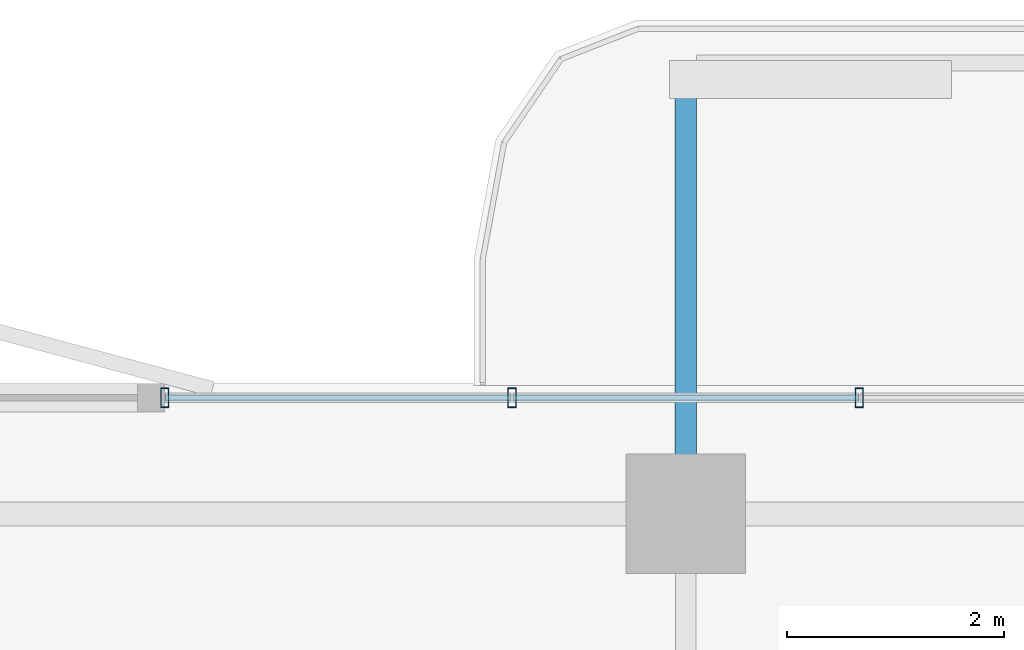
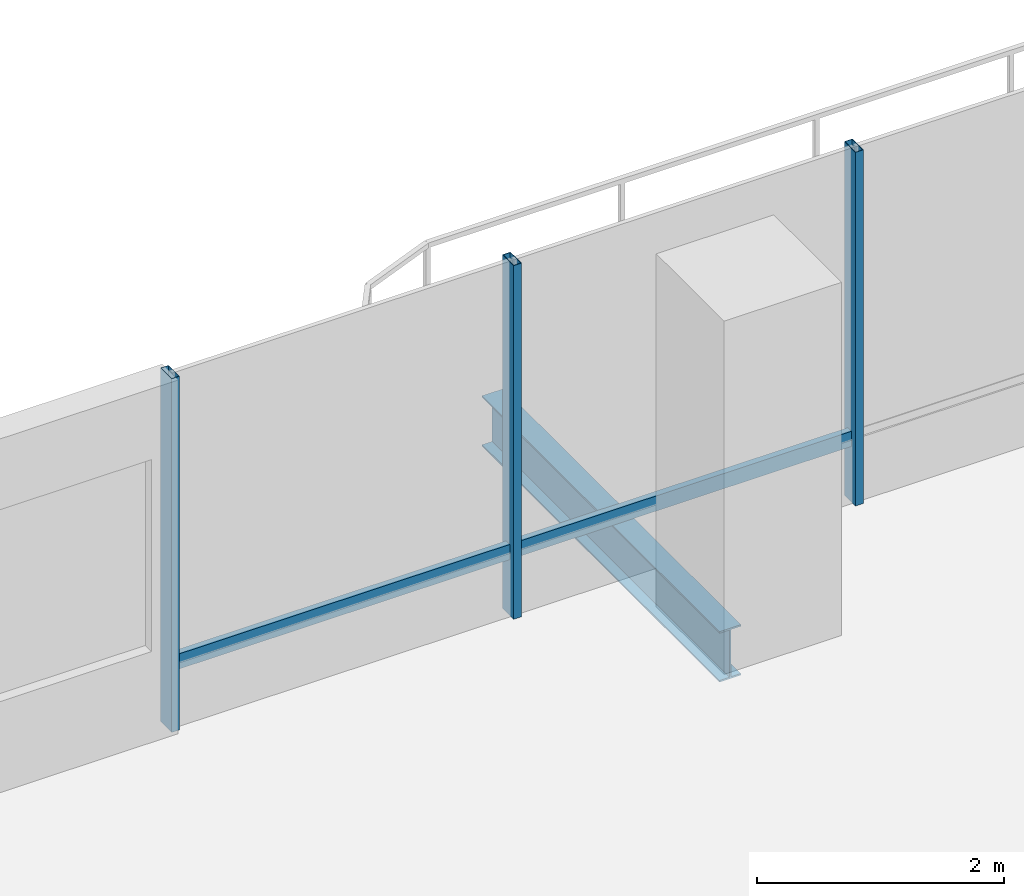
# One storey, part 11 of 23: 5 members, 1 beam, 1 element without a shape of its own.
"""IFC4 building model written with IfcOpenShell, lengths in metres."""

from ifc_helpers import new_model, si_unit, direction, frame, origin, origin_2d, place, context, subcontext, project, spatial, hollow_rectangle, i_section, extrude, material, layer, layer_set, material_profile, profile_set, type_object, element, aggregate, save


model = new_model("IFC4")

# Units and contexts
model_context = context("Model", 3, precision=1e-05, world=origin(), true_north=direction((0.0, 1.0)))
body_context = subcontext(model_context, "Body", "Model", "MODEL_VIEW")
ifc_project = project(units=[si_unit("LENGTHUNIT", "METRE"), si_unit("AREAUNIT", "SQUARE_METRE"), si_unit("VOLUMEUNIT", "CUBIC_METRE"), si_unit("PLANEANGLEUNIT", "RADIAN"), si_unit("MASSUNIT", "GRAM", prefix="KILO")], contexts=[model_context])

# Site, building, storey
site_placement = place(None, origin())
site = spatial("IfcSite", under=ifc_project, at=site_placement, CompositionType="ELEMENT")
building_placement = place(site_placement, origin())
building = spatial("IfcBuilding", under=site, at=building_placement, Name="Belovzor Exchange Tower", CompositionType="ELEMENT")
storey_placement = place(building_placement, frame((0.0, 0.0, 229.949951171875)))
storey = spatial("IfcBuildingStorey", under=building, at=storey_placement, Name="L57", CompositionType="ELEMENT", Elevation=229.949951171875)

# Beam
ifc_material_1 = material(Name="Steel S355", Category="steel")
ifc_material_profile_1 = material_profile(ifc_material_1, i_section(OverallWidth=0.199951171875, OverallDepth=0.5, WebThickness=0.01025390625, FlangeThickness=0.01611328125, at=origin_2d()))
ifc_profile_set_1 = profile_set([ifc_material_profile_1], Name="Steel S355")
beam_type = type_object("IfcBeamType", Name="Planted Balcony Cantilever Beam IPE 500", PredefinedType="BEAM", material=ifc_profile_set_1)
beam_placement = place(storey_placement, frame((28.800048828125, 54.903076171875, -0.5), z_axis=(0.0, 1.0, 0.0), x_axis=(-1.0, 0.0, 0.0)))
element("IfcBeam", 1, at=beam_placement, inside=storey, type_object=beam_type, Name="BC-500 Planted Balcony Cantilever Beam IPE 500", PredefinedType="BEAM", context=body_context, shape_type="SweptSolid", body=[
    extrude(i_section(OverallWidth=0.199951171875, OverallDepth=0.5, WebThickness=0.01025390625, FlangeThickness=0.01611328125, at=origin_2d()), origin(), (0.0, 0.0, 1.0), 3.849853515625),
])

# Curtain wall, members
ifc_material_2 = material(Name="Anodised Aluminium Framing", Category="aluminium")
ifc_layer = layer(ifc_material_2, 0.179931640625)
ifc_layer_set = layer_set([ifc_layer], Name="Anodised Aluminium Framing")
curtain_wall_type = type_object("IfcCurtainWallType", Name="Recessed Loggia Low-Iron Triple-Glazed Curtain Wall", PredefinedType="NOTDEFINED", material=ifc_layer_set)
curtain_wall_placement = place(storey_placement, origin())
curtain_wall = element("IfcCurtainWall", 2, at=curtain_wall_placement, inside=storey, type_object=curtain_wall_type, Name="CW3 Recessed Loggia Low-Iron Triple-Glazed Curtain Wall L57", PredefinedType="NOTDEFINED")
ifc_material_3 = material(Name="Steel S355", Category="steel")
ifc_material_profile_2 = material_profile(ifc_material_3, hollow_rectangle(XDim=0.074951171875, YDim=0.179931640625, WallThickness=0.0048828125, at=origin_2d()))
ifc_profile_set_2 = profile_set([ifc_material_profile_2], Name="Steel S355")
member_type_1 = type_object("IfcMemberType", Name="Thermally Broken Curtain Wall Mullion 180x75", PredefinedType="MULLION", material=ifc_profile_set_2)
member_1_placement = place(storey_placement, frame((24.0, 55.669921875, 0.0), z_axis=(0.0, 0.0, 1.0), x_axis=(1.0, 0.0, 0.0)))
member_1 = element("IfcMember", 3, at=member_1_placement, type_object=member_type_1, Name="CW-M180 Curtain Wall Mullion 1", PredefinedType="MULLION", context=body_context, shape_type="SweptSolid", body=[
    extrude(hollow_rectangle(XDim=0.074951171875, YDim=0.179931640625, WallThickness=0.0048828125, at=origin_2d()), origin(), (0.0, 0.0, 1.0), 3.5),
])
member_2_placement = place(storey_placement, frame((27.199951171875, 55.669921875, 0.0), z_axis=(0.0, 0.0, 1.0), x_axis=(1.0, 0.0, 0.0)))
member_2 = element("IfcMember", 4, at=member_2_placement, type_object=member_type_1, Name="CW-M180 Curtain Wall Mullion 2", PredefinedType="MULLION", context=body_context, shape_type="SweptSolid", body=[
    extrude(hollow_rectangle(XDim=0.074951171875, YDim=0.179931640625, WallThickness=0.0048828125, at=origin_2d()), origin(), (0.0, 0.0, 1.0), 3.5),
])
member_3_placement = place(storey_placement, frame((30.39990234375, 55.669921875, 0.0), z_axis=(0.0, 0.0, 1.0), x_axis=(1.0, 0.0, 0.0)))
member_3 = element("IfcMember", 5, at=member_3_placement, type_object=member_type_1, Name="CW-M180 Curtain Wall Mullion 3", PredefinedType="MULLION", context=body_context, shape_type="SweptSolid", body=[
    extrude(hollow_rectangle(XDim=0.074951171875, YDim=0.179931640625, WallThickness=0.0048828125, at=origin_2d()), origin(), (0.0, 0.0, 1.0), 3.5),
])
ifc_material_4 = material(Name="Steel S355", Category="steel")
ifc_material_profile_3 = material_profile(ifc_material_4, hollow_rectangle(XDim=0.06005859375, YDim=0.14990234375, WallThickness=0.00390625, at=origin_2d()))
ifc_profile_set_3 = profile_set([ifc_material_profile_3], Name="Steel S355")
member_type_2 = type_object("IfcMemberType", Name="Thermally Broken Curtain Wall Transom 150x60", PredefinedType="USERDEFINED", material=ifc_profile_set_3)
member_4_placement = place(storey_placement, frame((24.008056640625, 55.669921875, 0.630126953125), z_axis=(1.0, 0.0, 0.0), x_axis=(0.0, 1.0, 0.0)))
member_4 = element("IfcMember", 6, at=member_4_placement, type_object=member_type_2, Name="CW-T150 Curtain Wall Transom 1", ObjectType="TRANSOM", PredefinedType="USERDEFINED", context=body_context, shape_type="SweptSolid", body=[
    extrude(hollow_rectangle(XDim=0.06005859375, YDim=0.14990234375, WallThickness=0.00390625, at=origin_2d()), origin(), (0.0, 0.0, 1.0), 3.183837890625),
])
member_5_placement = place(storey_placement, frame((27.2080078125, 55.669921875, 0.630126953125), z_axis=(1.0, 0.0, 0.0), x_axis=(0.0, 1.0, 0.0)))
member_5 = element("IfcMember", 7, at=member_5_placement, type_object=member_type_2, Name="CW-T150 Curtain Wall Transom 2", ObjectType="TRANSOM", PredefinedType="USERDEFINED", context=body_context, shape_type="SweptSolid", body=[
    extrude(hollow_rectangle(XDim=0.06005859375, YDim=0.14990234375, WallThickness=0.00390625, at=origin_2d()), origin(), (0.0, 0.0, 1.0), 3.18408203125),
])
aggregate(curtain_wall, [member_1, member_2, member_3, member_4, member_5])

save(model, "model.ifc")
